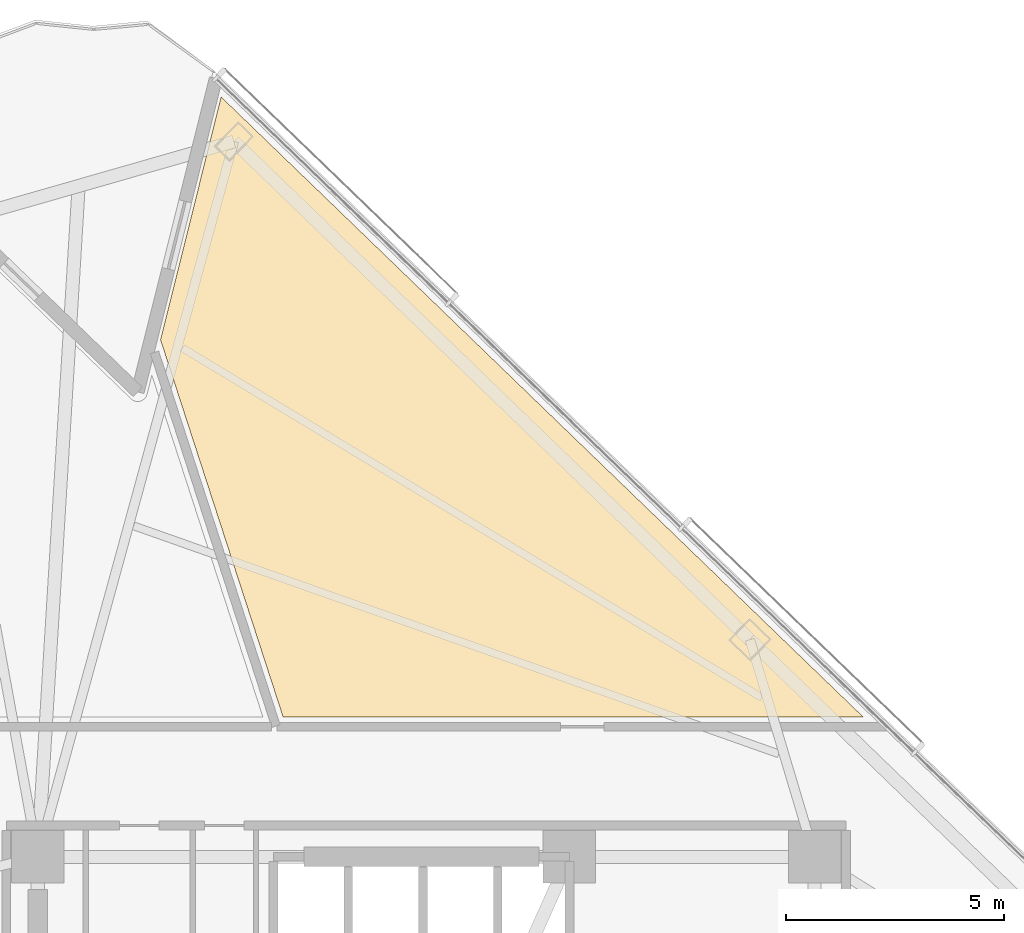
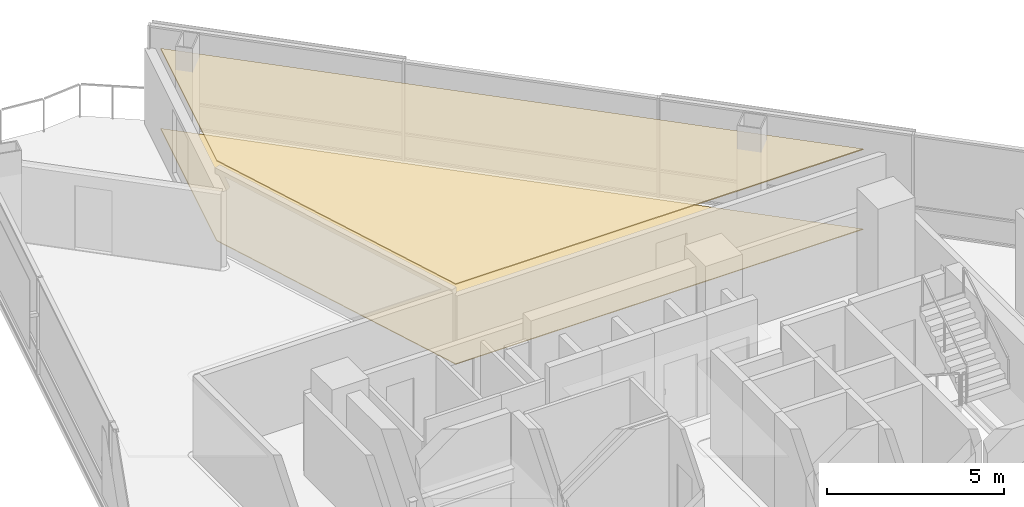
# One storey, part 18 of 18: 2 coverings.
"""IFC4 building model written with IfcOpenShell, lengths in metres."""

from ifc_helpers import new_model, si_unit, direction, frame, origin, place, context, subcontext, project, spatial, polyline, outline, extrude, material, layer, layer_set, type_object, element, save


model = new_model("IFC4")

# Units and contexts
model_context = context("Model", 3, precision=1e-05, world=origin(), true_north=direction((0.0, 1.0)))
body_context = subcontext(model_context, "Body", "Model", "MODEL_VIEW")
ifc_project = project(units=[si_unit("LENGTHUNIT", "METRE"), si_unit("AREAUNIT", "SQUARE_METRE"), si_unit("VOLUMEUNIT", "CUBIC_METRE"), si_unit("PLANEANGLEUNIT", "RADIAN"), si_unit("MASSUNIT", "GRAM", prefix="KILO")], contexts=[model_context])

# Site, building, storey
site_placement = place(None, origin())
site = spatial("IfcSite", under=ifc_project, at=site_placement, CompositionType="ELEMENT")
building_placement = place(site_placement, origin())
building = spatial("IfcBuilding", under=site, at=building_placement, Name="Tharavind Bronze Gate", CompositionType="ELEMENT")
storey_placement = place(building_placement, frame((0.0, 0.0, 100.5)))
storey = spatial("IfcBuildingStorey", under=building, at=storey_placement, Name="L25", CompositionType="ELEMENT", Elevation=100.5)

# Coverings
ifc_material_1 = material(Name="Engineered Oak & Carpet Tile", Category="wood")
ifc_layer_1 = layer(ifc_material_1, 0.02490234375)
ifc_layer_set_1 = layer_set([ifc_layer_1], Name="Engineered Oak & Carpet Tile")
covering_type_1 = type_object("IfcCoveringType", Name="ENGINEERED TIMBER FLOORING", PredefinedType="FLOORING", material=ifc_layer_set_1)
covering_1_placement = place(storey_placement, origin())
element("IfcCovering", 1, at=covering_1_placement, inside=storey, type_object=covering_type_1, Name="L25-RM-01 floor finish", PredefinedType="FLOORING", context=body_context, shape_type="SweptSolid", body=[
    extrude(outline(polyline([(-3.27783203125, 10.800048828125), (10.016845703125, 10.800048828125), (-4.69921875, 25.010986328125), (-6.0869140625, 19.4453125), (-3.27783203125, 10.800048828125)])), origin(), (0.0, 0.0, 1.0), 0.02490234375),
])
ifc_material_2 = material(Name="Acoustic Gypsum Board", Category="gypsum")
ifc_layer_2 = layer(ifc_material_2, 0.030029296875)
ifc_layer_set_2 = layer_set([ifc_layer_2], Name="Acoustic Gypsum Board")
covering_type_2 = type_object("IfcCoveringType", Name="GYPSUM SUSPENDED CEILING", PredefinedType="CEILING", material=ifc_layer_set_2)
covering_2_placement = place(storey_placement, frame((0.0, 0.0, 2.75)))
element("IfcCovering", 2, at=covering_2_placement, inside=storey, type_object=covering_type_2, Name="L25-RM-01 suspended ceiling", PredefinedType="CEILING", context=body_context, shape_type="SweptSolid", body=[
    extrude(outline(polyline([(-3.27783203125, 10.800048828125), (10.016845703125, 10.800048828125), (-4.69921875, 25.010986328125), (-6.0869140625, 19.4453125), (-3.27783203125, 10.800048828125)])), origin(), (0.0, 0.0, 1.0), 0.034912109375),
])

save(model, "model.ifc")
